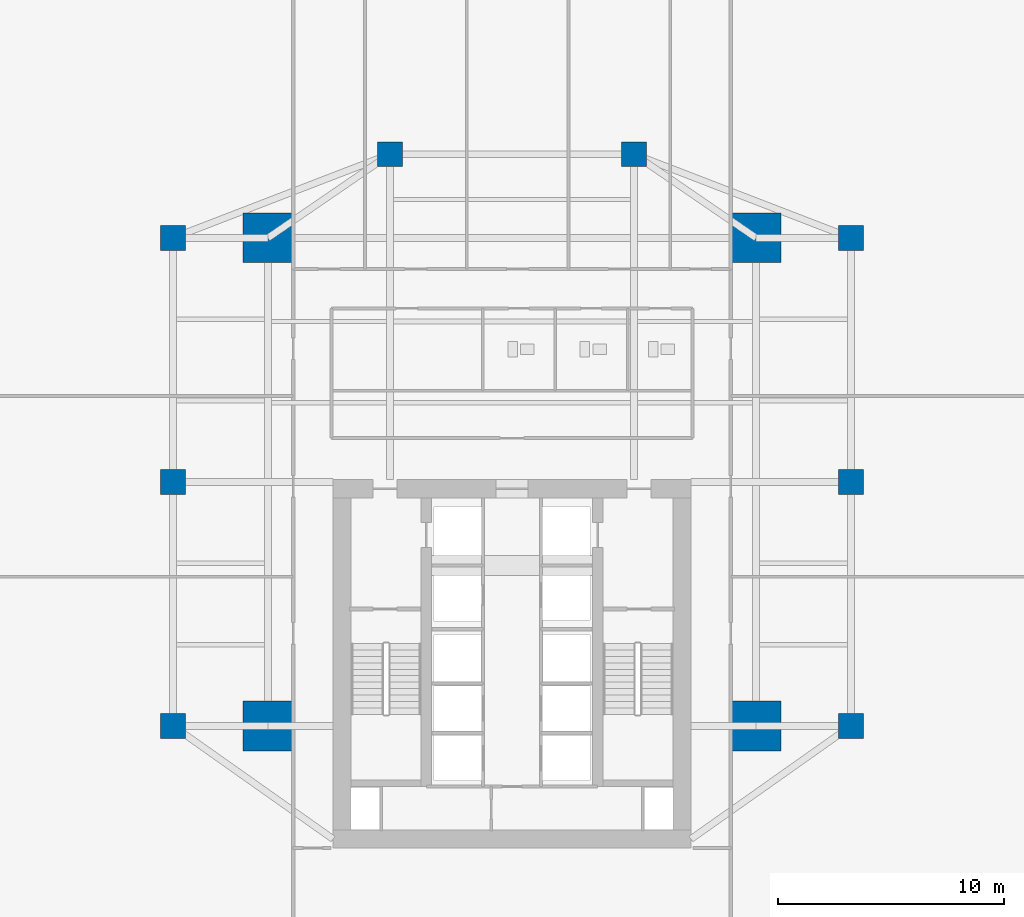
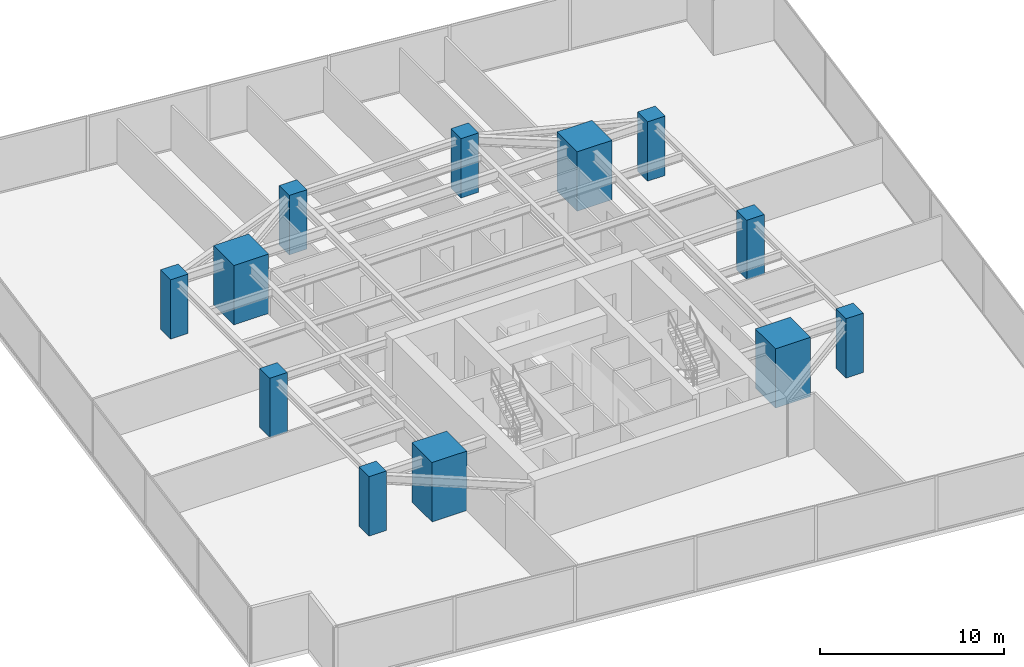
# One storey, part 1 of 28: 12 columns.
"""IFC4 building model written with IfcOpenShell, lengths in metres."""

from ifc_helpers import new_model, si_unit, direction, frame, origin, origin_2d, place, context, subcontext, project, spatial, rectangle, extrude, source, transform, mapped, material, material_profile, profile_set, type_object, type_shapes, element, save


model = new_model("IFC4")

# Units and contexts
model_context = context("Model", 3, precision=1e-05, world=origin(), true_north=direction((0.0, 1.0)))
body_context = subcontext(model_context, "Body", "Model", "MODEL_VIEW")
ifc_project = project(units=[si_unit("LENGTHUNIT", "METRE"), si_unit("AREAUNIT", "SQUARE_METRE"), si_unit("VOLUMEUNIT", "CUBIC_METRE"), si_unit("PLANEANGLEUNIT", "RADIAN"), si_unit("MASSUNIT", "GRAM", prefix="KILO")], contexts=[model_context])

# Site, building, storey
site_placement = place(None, origin())
site = spatial("IfcSite", under=ifc_project, at=site_placement, CompositionType="ELEMENT")
building_placement = place(site_placement, origin())
building = spatial("IfcBuilding", under=site, at=building_placement, Name="Krantzveldt Concourse Tower", CompositionType="ELEMENT")
storey_placement = place(building_placement, frame((0.0, 0.0, 64.5)))
storey = spatial("IfcBuildingStorey", under=building, at=storey_placement, Name="L15", CompositionType="ELEMENT", Elevation=64.5)

# Columns
ifc_material = material(Name="Concrete C60/75", Category="concrete")
ifc_material_profile_1 = material_profile(ifc_material, rectangle(XDim=2.199951171875, YDim=2.199951171875, at=origin_2d()), Name="Concrete C60/75", Category="concrete")
ifc_profile_set_1 = profile_set([ifc_material_profile_1], Name="Concrete C60/75 - RC 2200x2200")
column_type_1 = type_object("IfcColumnType", Name="COL-MC-2200", PredefinedType="USERDEFINED", material=ifc_profile_set_1)
shared_shape_1 = source(origin(), body_context, "Body", "SweptSolid", [
    extrude(rectangle(XDim=2.199951171875, YDim=2.199951171875, at=origin_2d()), origin(), (0.0, 0.0, 1.0), 3.949951171875),
])
type_shapes(column_type_1, [shared_shape_1])
for number, where, z_axis, x_axis, name in (
    (1, (25.199951171875, 15.89990234375, 0.0), (0.0, 0.0, 1.0), (1.0, 0.0, 0.0), "MC-SW-L15"),
    (2, (46.800048828125, 15.89990234375, 0.0), (0.0, 0.0, 1.0), (1.0, 0.0, 0.0), "MC-SE-L15"),
    (3, (46.800048828125, 37.5, 0.0), (0.0, 0.0, 1.0), (1.0, 0.0, 0.0), "MC-NE-L15"),
    (4, (25.199951171875, 37.5, 0.0), (0.0, 0.0, 1.0), (1.0, 0.0, 0.0), "MC-NW-L15"),
):
    element("IfcColumn", number, at=place(storey_placement, frame(where, z_axis=z_axis, x_axis=x_axis)), inside=storey, type_object=column_type_1, Name=name, ObjectType="MEGA COLUMN", PredefinedType="USERDEFINED", context=body_context, shape_type="MappedRepresentation", body=[
        mapped(shared_shape_1, transform((0.0, 0.0, 0.0), x_axis=(1.0, 0.0, 0.0), y_axis=(0.0, 1.0, 0.0), z_axis=(0.0, 0.0, 1.0), scale=1.0)),
    ])
ifc_material_profile_2 = material_profile(ifc_material, rectangle(XDim=1.10009765625, YDim=1.10009765625, at=origin_2d()), Name="Concrete C60/75", Category="concrete")
ifc_profile_set_2 = profile_set([ifc_material_profile_2], Name="Concrete C60/75 - RC 1100x1100")
column_type_2 = type_object("IfcColumnType", Name="COL-C-Z1", PredefinedType="COLUMN", material=ifc_profile_set_2)
shared_shape_2 = source(origin(), body_context, "Body", "SweptSolid", [
    extrude(rectangle(XDim=1.10009765625, YDim=1.10009765625, at=origin_2d()), origin(), (0.0, 0.0, 1.0), 3.949951171875),
])
type_shapes(column_type_2, [shared_shape_2])
for number, where, z_axis, x_axis, name in (
    (5, (21.0, 15.89990234375, 0.0), (0.0, 0.0, 1.0), (1.0, 0.0, 0.0), "PC-R01-L15"),
    (6, (21.0, 26.699951171875, 0.0), (0.0, 0.0, 1.0), (1.0, 0.0, 0.0), "PC-R02-L15"),
    (7, (21.0, 37.5, 0.0), (0.0, 0.0, 1.0), (1.0, 0.0, 0.0), "PC-R03-L15"),
    (8, (30.60009765625, 41.199951171875, 0.0), (0.0, 0.0, 1.0), (1.0, 0.0, 0.0), "PC-R04-L15"),
    (9, (41.39990234375, 41.199951171875, 0.0), (0.0, 0.0, 1.0), (1.0, 0.0, 0.0), "PC-R05-L15"),
    (10, (51.0, 37.5, 0.0), (0.0, 0.0, 1.0), (1.0, 0.0, 0.0), "PC-R06-L15"),
    (11, (51.0, 26.699951171875, 0.0), (0.0, 0.0, 1.0), (1.0, 0.0, 0.0), "PC-R07-L15"),
    (12, (51.0, 15.89990234375, 0.0), (0.0, 0.0, 1.0), (1.0, 0.0, 0.0), "PC-R08-L15"),
):
    element("IfcColumn", number, at=place(storey_placement, frame(where, z_axis=z_axis, x_axis=x_axis)), inside=storey, type_object=column_type_2, Name=name, PredefinedType="COLUMN", context=body_context, shape_type="MappedRepresentation", body=[
        mapped(shared_shape_2, transform((0.0, 0.0, 0.0), x_axis=(1.0, 0.0, 0.0), y_axis=(0.0, 1.0, 0.0), z_axis=(0.0, 0.0, 1.0), scale=1.0)),
    ])

save(model, "model.ifc")
